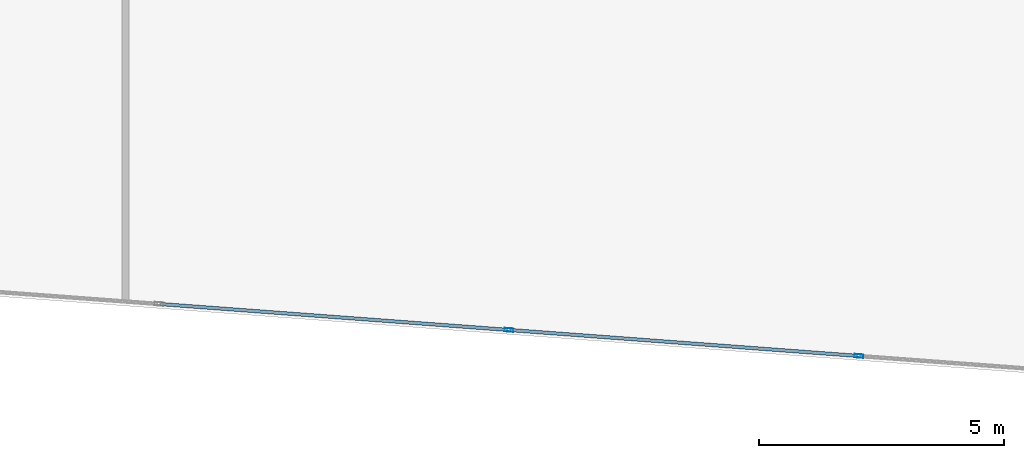
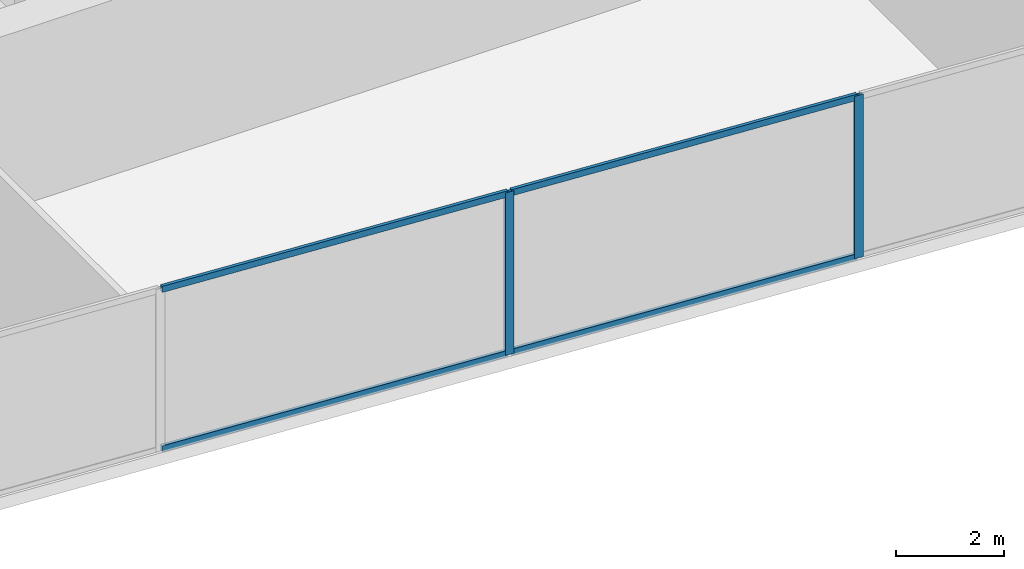
# One storey, part 6 of 30: 6 members, 1 element without a shape of its own.
"""IFC4 building model written with IfcOpenShell, lengths in metres."""

from ifc_helpers import new_model, si_unit, direction, frame, origin, origin_2d, place, context, subcontext, project, spatial, hollow_rectangle, extrude, source, transform, mapped, material, material_profile, profile_set, type_object, type_shapes, element, aggregate, save


model = new_model("IFC4")

# Units and contexts
model_context = context("Model", 3, precision=1e-05, world=origin(), true_north=direction((0.0, 1.0)))
body_context = subcontext(model_context, "Body", "Model", "MODEL_VIEW")
ifc_project = project(units=[si_unit("LENGTHUNIT", "METRE"), si_unit("AREAUNIT", "SQUARE_METRE"), si_unit("VOLUMEUNIT", "CUBIC_METRE"), si_unit("PLANEANGLEUNIT", "RADIAN"), si_unit("MASSUNIT", "GRAM", prefix="KILO")], contexts=[model_context])

# Site, building, storey
site_placement = place(None, origin())
site = spatial("IfcSite", under=ifc_project, at=site_placement, CompositionType="ELEMENT")
building_placement = place(site_placement, origin())
building = spatial("IfcBuilding", under=site, at=building_placement, Name="Krantzveldt Concourse Tower", CompositionType="ELEMENT")
storey_placement = place(building_placement, frame((0.0, 0.0, 52.64990234375)))
storey = spatial("IfcBuildingStorey", under=building, at=storey_placement, Name="L12", CompositionType="ELEMENT", Elevation=52.64990234375)

# Curtain wall, members
ifc_material = material(Name="Anodised aluminium 6063-T6", Category="aluminium")
curtain_wall_type = type_object("IfcCurtainWallType", Name="CW2", PredefinedType="USERDEFINED", material=ifc_material)
curtain_wall_placement = place(storey_placement, origin())
curtain_wall = element("IfcCurtainWall", 1, at=curtain_wall_placement, inside=storey, type_object=curtain_wall_type, Name="CW-L12-F04", ObjectType="UNITISED CURTAIN WALL", PredefinedType="USERDEFINED")
ifc_material_profile_1 = material_profile(ifc_material, hollow_rectangle(XDim=0.070068359375, YDim=0.139892578125, WallThickness=0.0048828125, at=origin_2d()), Name="Anodised aluminium 6063-T6", Category="aluminium")
ifc_profile_set_1 = profile_set([ifc_material_profile_1], Name="Anodised aluminium 6063-T6 - ALU-TRAN 140x70x5")
member_type_1 = type_object("IfcMemberType", Name="CW-TRN-150", PredefinedType="USERDEFINED", material=ifc_profile_set_1)
shared_shape_1 = source(origin(), body_context, "Body", "SweptSolid", [
    extrude(hollow_rectangle(XDim=0.070068359375, YDim=0.139892578125, WallThickness=0.0048828125, at=origin_2d()), origin(), (0.0, 0.0, 1.0), 7.0966796875),
])
type_shapes(member_type_1, [shared_shape_1])
member_1_placement = place(storey_placement, frame((27.0419921875, 2.386962890625, 0.03515625), z_axis=(0.997250644028, -0.074102314311, 0.0), x_axis=(0.074102314311, 0.997250644028, 0.0)))
member_1 = element("IfcMember", 2, at=member_1_placement, type_object=member_type_1, Name="CW-Z12 transom 3.1", ObjectType="TRANSOM", PredefinedType="USERDEFINED", context=body_context, shape_type="MappedRepresentation", body=[
    mapped(shared_shape_1, transform((0.0, 0.0, 0.0), x_axis=(1.0, 0.0, 0.0), y_axis=(0.0, 1.0, 0.0), z_axis=(0.0, 0.0, 1.0), scale=1.0)),
])
member_2_placement = place(storey_placement, frame((27.0419921875, 2.386962890625, 3.635009765625), z_axis=(0.997250644028, -0.074102314311, 0.0), x_axis=(0.074102314311, 0.997250644028, 0.0)))
member_2 = element("IfcMember", 3, at=member_2_placement, type_object=member_type_1, Name="CW-Z12 transom 3.2", ObjectType="TRANSOM", PredefinedType="USERDEFINED", context=body_context, shape_type="MappedRepresentation", body=[
    mapped(shared_shape_1, transform((0.0, 0.0, 0.0), x_axis=(1.0, 0.0, 0.0), y_axis=(0.0, 1.0, 0.0), z_axis=(0.0, 0.0, 1.0), scale=1.0)),
])
member_3_placement = place(storey_placement, frame((34.18896484375, 1.85595703125, 0.03515625), z_axis=(0.997250644028, -0.074102314311, 0.0), x_axis=(0.074102314311, 0.997250644028, 0.0)))
member_3 = element("IfcMember", 4, at=member_3_placement, type_object=member_type_1, Name="CW-Z12 transom 4.1", ObjectType="TRANSOM", PredefinedType="USERDEFINED", context=body_context, shape_type="MappedRepresentation", body=[
    mapped(shared_shape_1, transform((0.0, 0.0, 0.0), x_axis=(1.0, 0.0, 0.0), y_axis=(0.0, 1.0, 0.0), z_axis=(0.0, 0.0, 1.0), scale=1.0)),
])
member_4_placement = place(storey_placement, frame((34.18896484375, 1.85595703125, 3.635009765625), z_axis=(0.997250644028, -0.074102314311, 0.0), x_axis=(0.074102314311, 0.997250644028, 0.0)))
member_4 = element("IfcMember", 5, at=member_4_placement, type_object=member_type_1, Name="CW-Z12 transom 4.2", ObjectType="TRANSOM", PredefinedType="USERDEFINED", context=body_context, shape_type="MappedRepresentation", body=[
    mapped(shared_shape_1, transform((0.0, 0.0, 0.0), x_axis=(1.0, 0.0, 0.0), y_axis=(0.0, 1.0, 0.0), z_axis=(0.0, 0.0, 1.0), scale=1.0)),
])
ifc_material_profile_2 = material_profile(ifc_material, hollow_rectangle(XDim=0.070068359375, YDim=0.179931640625, WallThickness=0.0048828125, at=origin_2d()), Name="Anodised aluminium 6063-T6", Category="aluminium")
ifc_profile_set_2 = profile_set([ifc_material_profile_2], Name="Anodised aluminium 6063-T6 - ALU-MULL 180x70x5")
member_type_2 = type_object("IfcMemberType", Name="CW-MUL-180", PredefinedType="MULLION", material=ifc_profile_set_2)
shared_shape_2 = source(origin(), body_context, "Body", "SweptSolid", [
    extrude(hollow_rectangle(XDim=0.070068359375, YDim=0.179931640625, WallThickness=0.0048828125, at=origin_2d()), origin(), (0.0, 0.0, 1.0), 3.670166015625),
])
type_shapes(member_type_2, [shared_shape_2])
member_5_placement = place(storey_placement, frame((34.154052734375, 1.8583984375, 0.0), z_axis=(0.0, 0.0, 1.0), x_axis=(0.07410860051, 0.997250176902, 0.0)))
member_5 = element("IfcMember", 6, at=member_5_placement, type_object=member_type_2, Name="CW-Z12 mullion 4", PredefinedType="MULLION", context=body_context, shape_type="MappedRepresentation", body=[
    mapped(shared_shape_2, transform((0.0, 0.0, 0.0), x_axis=(1.0, 0.0, 0.0), y_axis=(0.0, 1.0, 0.0), z_axis=(0.0, 0.0, 1.0), scale=1.0)),
])
member_6_placement = place(storey_placement, frame((41.301025390625, 1.327392578125, 0.0), z_axis=(0.0, 0.0, 1.0), x_axis=(0.07410860051, 0.997250176902, 0.0)))
member_6 = element("IfcMember", 7, at=member_6_placement, type_object=member_type_2, Name="CW-Z12 mullion 5", PredefinedType="MULLION", context=body_context, shape_type="MappedRepresentation", body=[
    mapped(shared_shape_2, transform((0.0, 0.0, 0.0), x_axis=(1.0, 0.0, 0.0), y_axis=(0.0, 1.0, 0.0), z_axis=(0.0, 0.0, 1.0), scale=1.0)),
])
aggregate(curtain_wall, [member_5, member_6, member_1, member_2, member_3, member_4])

save(model, "model.ifc")
